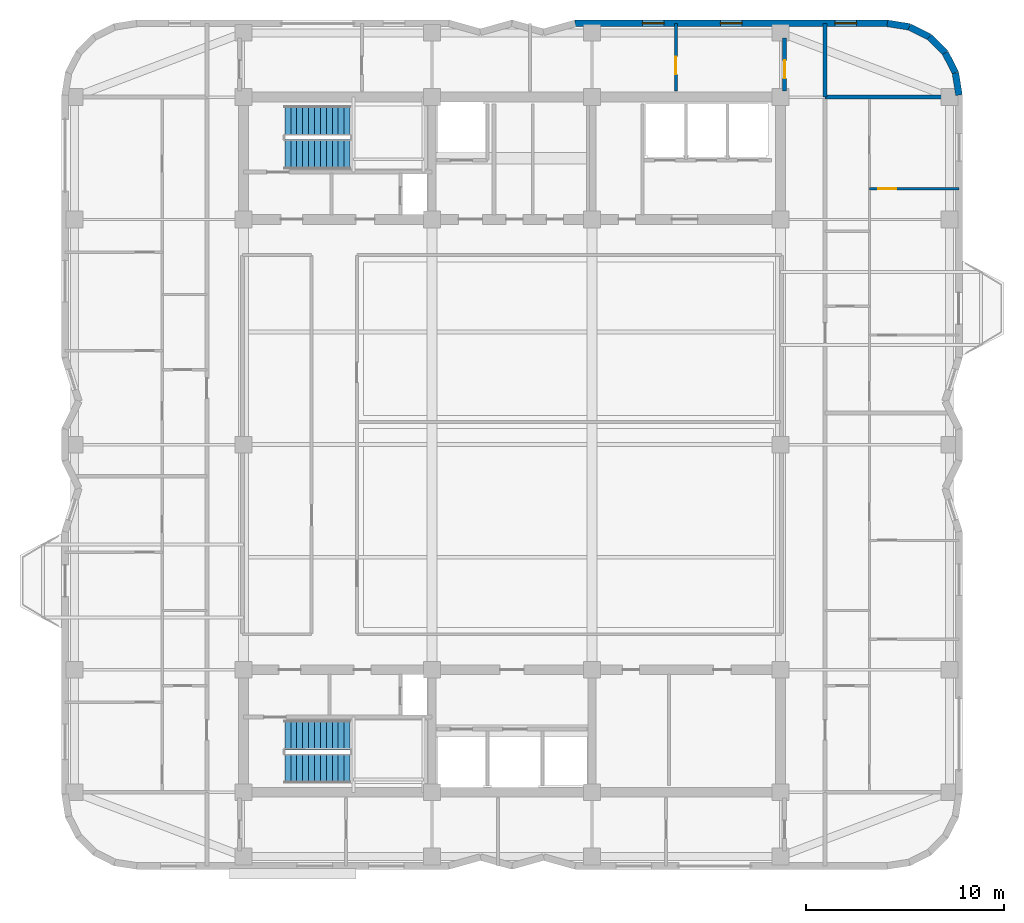
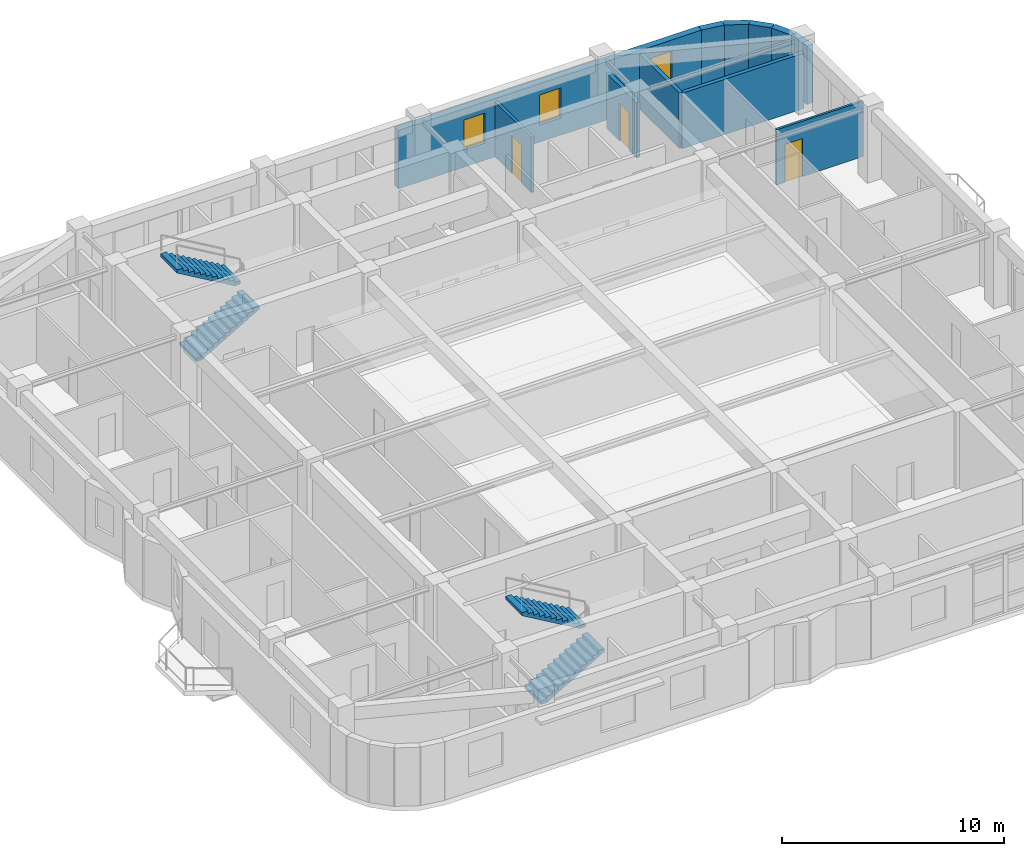
# One storey, part 9 of 11: 11 walls, 4 stair flights, 3 doors, 3 windows, 6 openings, 2 elements without a shape of their own.
"""IFC4 building model written with IfcOpenShell, lengths in metres."""

from ifc_helpers import new_model, si_unit, direction, frame, frame_2d, origin, place, context, subcontext, project, spatial, polyline, rectangle, outline, extrude, material, layer, layer_set, type_object, element, fill, aggregate, save


model = new_model("IFC4")

# Units and contexts
model_context = context("Model", 3, precision=1e-05, world=origin(), true_north=direction((0.0, 1.0)))
body_context = subcontext(model_context, "Body", "Model", "MODEL_VIEW")
ifc_project = project(units=[si_unit("LENGTHUNIT", "METRE"), si_unit("AREAUNIT", "SQUARE_METRE"), si_unit("VOLUMEUNIT", "CUBIC_METRE"), si_unit("PLANEANGLEUNIT", "RADIAN"), si_unit("MASSUNIT", "GRAM", prefix="KILO")], contexts=[model_context])

# Site, building, storey
site_placement = place(None, origin())
site = spatial("IfcSite", under=ifc_project, at=site_placement, CompositionType="ELEMENT")
building_placement = place(site_placement, origin())
building = spatial("IfcBuilding", under=site, at=building_placement, Name="Svetorya Sky Lyceum", CompositionType="ELEMENT")
storey_placement = place(building_placement, frame((0.0, 0.0, 203.10009765625)))
storey = spatial("IfcBuildingStorey", under=building, at=storey_placement, Name="L50", CompositionType="ELEMENT", Elevation=203.10009765625)

# Walls
ifc_material_1 = material(Name="Putilovo limestone rainscreen on autoclaved cellular masonry", Category="masonry")
ifc_layer_1 = layer(ifc_material_1, 0.340087890625)
ifc_layer_set_1 = layer_set([ifc_layer_1], Name="Putilovo limestone rainscreen on autoclaved cellular masonry")
wall_type_1 = type_object("IfcWallType", Name="WL-EXT-340", PredefinedType="SOLIDWALL", material=ifc_layer_set_1)
for number, where, z_axis, x_axis, name in (
    (1, (61.830078125, 45.89990234375, 0.0), (0.0, 0.0, 1.0), (-0.156481329164, 0.987680916907, 0.0), "L50 Limestone Exterior Wall 24M"),
    (2, (61.65234375, 47.021728515625, 0.0), (0.0, 0.0, 1.0), (-0.453993402883, 0.891005044957, 0.0), "L50 Limestone Exterior Wall 25M"),
):
    element("IfcWall", number, at=place(storey_placement, frame(where, z_axis=z_axis, x_axis=x_axis)), inside=storey, type_object=wall_type_1, Name=name, PredefinedType="SOLIDWALL", context=body_context, shape_type="SweptSolid", body=[
        extrude(rectangle(XDim=1.1357421875, YDim=0.340087890625, at=frame_2d((0.56787109375, 0.0))), origin(), (0.0, 0.0, 1.0), 3.219970703125),
    ])
wall_1_placement = place(storey_placement, frame((61.13671875, 48.03369140625, 0.0), z_axis=(0.0, 0.0, 1.0), x_axis=(-0.707106781187, 0.707106781187, 0.0)))
element("IfcWall", 3, at=wall_1_placement, inside=storey, type_object=wall_type_1, Name="L50 Limestone Exterior Wall 26M", PredefinedType="SOLIDWALL", context=body_context, shape_type="SweptSolid", body=[
    extrude(rectangle(XDim=1.135498046875, YDim=0.340087890625, at=frame_2d((0.56787109375, 0.0))), origin(), (0.0, 0.0, 1.0), 3.219970703125),
])
for number, where, z_axis, x_axis, name in (
    (4, (60.333740234375, 48.836669921875, 0.0), (0.0, 0.0, 1.0), (-0.891005044957, 0.453993402883, 0.0), "L50 Limestone Exterior Wall 27M"),
    (5, (59.32177734375, 49.352294921875, 0.0), (0.0, 0.0, 1.0), (-0.987680916907, 0.156481329164, 0.0), "L50 Limestone Exterior Wall 28M"),
):
    element("IfcWall", number, at=place(storey_placement, frame(where, z_axis=z_axis, x_axis=x_axis)), inside=storey, type_object=wall_type_1, Name=name, PredefinedType="SOLIDWALL", context=body_context, shape_type="SweptSolid", body=[
        extrude(rectangle(XDim=1.1357421875, YDim=0.340087890625, at=frame_2d((0.56787109375, 0.0))), origin(), (0.0, 0.0, 1.0), 3.219970703125),
    ])

# Wall, openings, windows
wall_2_placement = place(storey_placement, frame((58.199951171875, 49.530029296875, 0.0), z_axis=(0.0, 0.0, 1.0), x_axis=(-1.0, 0.0, 0.0)))
wall_2 = element("IfcWall", 6, at=wall_2_placement, inside=storey, type_object=wall_type_1, Name="L50 Limestone Exterior Wall 29M", PredefinedType="SOLIDWALL", context=body_context, shape_type="SweptSolid", body=[
    extrude(rectangle(XDim=15.800048828125, YDim=0.340087890625, at=frame_2d((7.89990234375, 0.0))), origin(), (0.0, 0.0, 1.0), 3.219970703125),
])
opening_1_placement = place(wall_2_placement, frame((1.550048828125, 0.0, 0.949951171875)))
opening_1 = element("IfcOpeningElement", 7, at=opening_1_placement, cuts=wall_2, Name="Opening W-R3", PredefinedType="OPENING", context=body_context, shape_type="SweptSolid", body=[
    extrude(rectangle(XDim=1.10009765625, YDim=1.64990234375, at=frame_2d((0.550048828125, 0.824951171875))), frame((0.0, 0.179931640625, 0.0), z_axis=(0.0, -1.0, 0.0), x_axis=(1.0, 0.0, 0.0)), (0.0, 0.0, 1.0), 0.360107421875),
])
opening_2_placement = place(wall_2_placement, frame((7.35009765625, 0.0, 0.949951171875)))
opening_2 = element("IfcOpeningElement", 8, at=opening_2_placement, cuts=wall_2, Name="Opening W-R3", PredefinedType="OPENING", context=body_context, shape_type="SweptSolid", body=[
    extrude(rectangle(XDim=1.10009765625, YDim=1.64990234375, at=frame_2d((0.550048828125, 0.824951171875))), frame((0.0, 0.179931640625, 0.0), z_axis=(0.0, -1.0, 0.0), x_axis=(1.0, 0.0, 0.0)), (0.0, 0.0, 1.0), 0.360107421875),
])
opening_3_placement = place(wall_2_placement, frame((11.300048828125, 0.0, 0.949951171875)))
opening_3 = element("IfcOpeningElement", 9, at=opening_3_placement, cuts=wall_2, Name="Opening W-R3", PredefinedType="OPENING", context=body_context, shape_type="SweptSolid", body=[
    extrude(rectangle(XDim=1.10009765625, YDim=1.64990234375, at=frame_2d((0.550048828125, 0.824951171875))), frame((0.0, 0.179931640625, 0.0), z_axis=(0.0, -1.0, 0.0), x_axis=(1.0, 0.0, 0.0)), (0.0, 0.0, 1.0), 0.360107421875),
])
ifc_material_2 = material(Name="Thermally broken aluminium frame with triple low-E glazing", Category="aluminium")
window_type = type_object("IfcWindowType", Name="WN-RES-110", PartitioningType="SINGLE_PANEL", PredefinedType="WINDOW", material=ifc_material_2)
window_1_placement = place(opening_1_placement, origin())
window_1 = element("IfcWindow", 10, at=window_1_placement, inside=storey, type_object=window_type, Name="L50 Facade Window W-R3.29M.1", OverallHeight=1.64990234375, OverallWidth=1.10009765625, PartitioningType="SINGLE_PANEL", PredefinedType="WINDOW", context=body_context, shape_type="SweptSolid", body=[
    extrude(rectangle(XDim=1.10009765625, YDim=1.64990234375, at=frame_2d((0.550048828125, 0.824951171875))), frame((0.0, 0.030029296875, 0.0), z_axis=(0.0, -1.0, 0.0), x_axis=(1.0, 0.0, 0.0)), (0.0, 0.0, 1.0), 0.06005859375),
])
fill(opening_1, window_1)
window_2_placement = place(opening_2_placement, origin())
window_2 = element("IfcWindow", 11, at=window_2_placement, inside=storey, type_object=window_type, Name="L50 Facade Window W-R3.29M.2", OverallHeight=1.64990234375, OverallWidth=1.10009765625, PartitioningType="SINGLE_PANEL", PredefinedType="WINDOW", context=body_context, shape_type="SweptSolid", body=[
    extrude(rectangle(XDim=1.10009765625, YDim=1.64990234375, at=frame_2d((0.550048828125, 0.824951171875))), frame((0.0, 0.030029296875, 0.0), z_axis=(0.0, -1.0, 0.0), x_axis=(1.0, 0.0, 0.0)), (0.0, 0.0, 1.0), 0.06005859375),
])
fill(opening_2, window_2)
window_3_placement = place(opening_3_placement, origin())
window_3 = element("IfcWindow", 12, at=window_3_placement, inside=storey, type_object=window_type, Name="L50 Facade Window W-R3.29M.3", OverallHeight=1.64990234375, OverallWidth=1.10009765625, PartitioningType="SINGLE_PANEL", PredefinedType="WINDOW", context=body_context, shape_type="SweptSolid", body=[
    extrude(rectangle(XDim=1.10009765625, YDim=1.64990234375, at=frame_2d((0.550048828125, 0.824951171875))), frame((0.0, 0.030029296875, 0.0), z_axis=(0.0, -1.0, 0.0), x_axis=(1.0, 0.0, 0.0)), (0.0, 0.0, 1.0), 0.06005859375),
])
fill(opening_3, window_3)

# Wall, opening, door
ifc_material_3 = material(Name="Twin-stud galvanized framing with double fireboard", Category="gypsum")
ifc_layer_2 = layer(ifc_material_3, 0.1201171875)
ifc_layer_set_2 = layer_set([ifc_layer_2], Name="Twin-stud galvanized framing with double fireboard")
wall_type_2 = type_object("IfcWallType", Name="WL-PART-120", PredefinedType="PARTITIONING", material=ifc_layer_set_2)
wall_3_placement = place(storey_placement, frame((57.300048828125, 41.14990234375, 0.0), z_axis=(0.0, 0.0, 1.0), x_axis=(1.0, 0.0, 0.0)))
wall_3 = element("IfcWall", 13, at=wall_3_placement, inside=storey, type_object=wall_type_2, Name="L50 Interior Partition E2-WL2", PredefinedType="PARTITIONING", context=body_context, shape_type="SweptSolid", body=[
    extrude(rectangle(XDim=4.530029296875, YDim=0.1201171875, at=frame_2d((2.26513671875, 0.0))), origin(), (0.0, 0.0, 1.0), 3.0498046875),
])
opening_4_placement = place(wall_3_placement, frame((0.449951171875, 0.0, 0.0)))
opening_4 = element("IfcOpeningElement", 14, at=opening_4_placement, cuts=wall_3, Name="Opening D-RM1", PredefinedType="OPENING", context=body_context, shape_type="SweptSolid", body=[
    extrude(rectangle(XDim=0.89990234375, YDim=2.10009765625, at=frame_2d((0.449951171875, 1.050048828125))), frame((0.0, 0.070068359375, 0.0), z_axis=(0.0, -1.0, 0.0), x_axis=(1.0, 0.0, 0.0)), (0.0, 0.0, 1.0), 0.14013671875),
])
ifc_material_4 = material(Name="Lacquered birch veneer internal door")
door_type = type_object("IfcDoorType", Name="DR-INT-900", OperationType="SINGLE_SWING_LEFT", PredefinedType="DOOR", material=ifc_material_4)
door_1_placement = place(opening_4_placement, origin())
door_1 = element("IfcDoor", 15, at=door_1_placement, inside=storey, type_object=door_type, Name="Apartment E2 Bedroom 2 Door", OperationType="SINGLE_SWING_RIGHT", OverallHeight=2.10009765625, OverallWidth=0.89990234375, PredefinedType="DOOR", context=body_context, shape_type="SweptSolid", body=[
    extrude(rectangle(XDim=0.89990234375, YDim=2.10009765625, at=frame_2d((0.449951171875, 1.050048828125))), frame((0.0, 0.02490234375, 0.0), z_axis=(0.0, -1.0, 0.0), x_axis=(1.0, 0.0, 0.0)), (0.0, 0.0, 1.0), 0.050048828125),
])
fill(opening_4, door_1)

ifc_material_5 = material(Name="Autoclaved cellular masonry blockwork with acoustic render", Category="masonry")
ifc_layer_3 = layer(ifc_material_5, 0.14990234375)
ifc_layer_set_3 = layer_set([ifc_layer_3], Name="Autoclaved cellular masonry blockwork with acoustic render")
wall_type_3 = type_object("IfcWallType", Name="WL-PART-150", PredefinedType="PARTITIONING", material=ifc_layer_set_3)
wall_4_placement = place(storey_placement, frame((47.5, 46.10009765625, 0.0), z_axis=(0.0, 0.0, 1.0), x_axis=(0.0, 1.0, 0.0)))
wall_4 = element("IfcWall", 16, at=wall_4_placement, inside=storey, type_object=wall_type_3, Name="L50 Interior Partition N4-D3", PredefinedType="PARTITIONING", context=body_context, shape_type="SweptSolid", body=[
    extrude(rectangle(XDim=3.429931640625, YDim=0.14990234375, at=frame_2d((1.71484375, 0.0))), origin(), (0.0, 0.0, 1.0), 3.0498046875),
])
opening_5_placement = place(wall_4_placement, frame((0.85009765625, 0.0, 0.0)))
opening_5 = element("IfcOpeningElement", 17, at=opening_5_placement, cuts=wall_4, Name="Opening D-RM1", PredefinedType="OPENING", context=body_context, shape_type="SweptSolid", body=[
    extrude(rectangle(XDim=0.89990234375, YDim=2.10009765625, at=frame_2d((0.449951171875, 1.050048828125))), frame((0.0, 0.0849609375, 0.0), z_axis=(0.0, -1.0, 0.0), x_axis=(1.0, 0.0, 0.0)), (0.0, 0.0, 1.0), 0.169921875),
])
door_2_placement = place(opening_5_placement, origin())
door_2 = element("IfcDoor", 18, at=door_2_placement, inside=storey, type_object=door_type, Name="L50 North Suite Door 3", OperationType="SINGLE_SWING_RIGHT", OverallHeight=2.10009765625, OverallWidth=0.89990234375, PredefinedType="DOOR", context=body_context, shape_type="SweptSolid", body=[
    extrude(rectangle(XDim=0.89990234375, YDim=2.10009765625, at=frame_2d((0.449951171875, 1.050048828125))), frame((0.0, 0.02490234375, 0.0), z_axis=(0.0, -1.0, 0.0), x_axis=(1.0, 0.0, 0.0)), (0.0, 0.0, 1.0), 0.050048828125),
])
fill(opening_5, door_2)

# Walls
ifc_material_6 = material(Name="Autoclaved cellular masonry blockwork with gypsum plaster", Category="masonry")
ifc_layer_4 = layer(ifc_material_6, 0.199951171875)
ifc_layer_set_4 = layer_set([ifc_layer_4], Name="Autoclaved cellular masonry blockwork with gypsum plaster")
wall_type_4 = type_object("IfcWallType", Name="WL-PART-200", PredefinedType="PARTITIONING", material=ifc_layer_set_4)
wall_5_placement = place(storey_placement, frame((55.050048828125, 45.800048828125, 0.0), z_axis=(0.0, 0.0, 1.0), x_axis=(1.0, 0.0, 0.0)))
element("IfcWall", 19, at=wall_5_placement, inside=storey, type_object=wall_type_4, Name="L50 Interior Partition E-CAP-N", PredefinedType="PARTITIONING", context=body_context, shape_type="SweptSolid", body=[
    extrude(rectangle(XDim=6.35986328125, YDim=0.199951171875, at=frame_2d((3.179931640625, 0.0))), origin(), (0.0, 0.0, 1.0), 3.0498046875),
])
wall_6_placement = place(storey_placement, frame((55.050048828125, 45.800048828125, 0.0), z_axis=(0.0, 0.0, 1.0), x_axis=(0.0, 1.0, 0.0)))
element("IfcWall", 20, at=wall_6_placement, inside=storey, type_object=wall_type_4, Name="L50 Interior Partition EC-NE-END", PredefinedType="PARTITIONING", context=body_context, shape_type="SweptSolid", body=[
    extrude(rectangle(XDim=3.72998046875, YDim=0.199951171875, at=frame_2d((1.864990234375, 0.0))), origin(), (0.0, 0.0, 1.0), 3.0498046875),
])

# Wall, opening, door
wall_7_placement = place(storey_placement, frame((53.0, 46.10009765625, 0.0), z_axis=(0.0, 0.0, 1.0), x_axis=(0.0, 1.0, 0.0)))
wall_7 = element("IfcWall", 21, at=wall_7_placement, inside=storey, type_object=wall_type_4, Name="L50 Interior Partition N4-EE", PredefinedType="PARTITIONING", context=body_context, shape_type="SweptSolid", body=[
    extrude(rectangle(XDim=2.679931640625, YDim=0.199951171875, at=frame_2d((1.33984375, 0.0))), origin(), (0.0, 0.0, 1.0), 3.0498046875),
])
opening_6_placement = place(wall_7_placement, frame((0.64990234375, 0.0, 0.0)))
opening_6 = element("IfcOpeningElement", 22, at=opening_6_placement, cuts=wall_7, Name="Opening D-RM1", PredefinedType="OPENING", context=body_context, shape_type="SweptSolid", body=[
    extrude(rectangle(XDim=0.89990234375, YDim=2.10009765625, at=frame_2d((0.449951171875, 1.050048828125))), frame((0.0, 0.10986328125, 0.0), z_axis=(0.0, -1.0, 0.0), x_axis=(1.0, 0.0, 0.0)), (0.0, 0.0, 1.0), 0.219970703125),
])
door_3_placement = place(opening_6_placement, origin())
door_3 = element("IfcDoor", 23, at=door_3_placement, inside=storey, type_object=door_type, Name="L50 NE Office Door", OperationType="SINGLE_SWING_LEFT", OverallHeight=2.10009765625, OverallWidth=0.89990234375, PredefinedType="DOOR", context=body_context, shape_type="SweptSolid", body=[
    extrude(rectangle(XDim=0.89990234375, YDim=2.10009765625, at=frame_2d((0.449951171875, 1.050048828125))), frame((0.0, 0.02490234375, 0.0), z_axis=(0.0, -1.0, 0.0), x_axis=(1.0, 0.0, 0.0)), (0.0, 0.0, 1.0), 0.050048828125),
])
fill(opening_6, door_3)

# Stair, stair flights
ifc_material_7 = material(Name="Concrete C40/50", Category="concrete")
stair_type_1 = type_object("IfcStairType", Name="STR-ST-N", PredefinedType="HALF_TURN_STAIR", material=ifc_material_7)
stair_1_placement = place(storey_placement, origin())
stair_1 = element("IfcStair", 24, at=stair_1_placement, inside=storey, type_object=stair_type_1, Name="L50 North Core Smoke-Free Exit Stair N3", PredefinedType="HALF_TURN_STAIR")
stair_flight_type_1 = type_object("IfcStairFlightType", Name="SFL-ST-N", PredefinedType="STRAIGHT", material=ifc_material_7)
stair_flight_1_placement = place(storey_placement, frame((27.699951171875, 42.89990234375, 0.0), z_axis=(0.0, 0.0, 1.0), x_axis=(1.0, 0.0, 0.0)))
stair_flight_1 = element("IfcStairFlight", 25, at=stair_flight_1_placement, type_object=stair_flight_type_1, Name="ST-N flight 1", NumberOfRisers=12, NumberOfTreads=11, PredefinedType="STRAIGHT", RiserHeight=0.175, TreadLength=0.3, context=body_context, shape_type="SweptSolid", body=[
    extrude(outline(polyline([(0.0, 0.0), (0.0, 0.175048828125), (0.300048828125, 0.175048828125), (0.300048828125, 0.35009765625), (0.60009765625, 0.35009765625), (0.60009765625, 0.52490234375), (0.89990234375, 0.52490234375), (0.89990234375, 0.699951171875), (1.199951171875, 0.699951171875), (1.199951171875, 0.875), (1.5, 0.875), (1.5, 1.050048828125), (1.800048828125, 1.050048828125), (1.800048828125, 1.22509765625), (2.10009765625, 1.22509765625), (2.10009765625, 1.39990234375), (2.39990234375, 1.39990234375), (2.39990234375, 1.574951171875), (2.699951171875, 1.574951171875), (2.699951171875, 1.75), (3.0, 1.75), (3.0, 1.925048828125), (3.300048828125, 1.925048828125), (3.300048828125, 2.10009765625), (3.300048828125, 1.75146484375), (0.297607421875, 0.0), (0.0, 0.0)])), frame((0.0, 0.75, 0.0), z_axis=(0.0, -1.0, 0.0), x_axis=(1.0, 0.0, 0.0)), (0.0, 0.0, 1.0), 1.5),
])
stair_flight_2_placement = place(storey_placement, frame((31.0, 44.60009765625, 2.099853515625), z_axis=(0.0, 0.0, 1.0), x_axis=(-1.0, 0.0, 0.0)))
stair_flight_2 = element("IfcStairFlight", 26, at=stair_flight_2_placement, type_object=stair_flight_type_1, Name="ST-N flight 2", NumberOfRisers=12, NumberOfTreads=11, PredefinedType="STRAIGHT", RiserHeight=0.175, TreadLength=0.3, context=body_context, shape_type="SweptSolid", body=[
    extrude(outline(polyline([(0.0, 0.0), (0.0, 0.175048828125), (0.300048828125, 0.175048828125), (0.300048828125, 0.35009765625), (0.60009765625, 0.35009765625), (0.60009765625, 0.52490234375), (0.89990234375, 0.52490234375), (0.89990234375, 0.699951171875), (1.199951171875, 0.699951171875), (1.199951171875, 0.875), (1.5, 0.875), (1.5, 1.050048828125), (1.800048828125, 1.050048828125), (1.800048828125, 1.22509765625), (2.10009765625, 1.22509765625), (2.10009765625, 1.39990234375), (2.39990234375, 1.39990234375), (2.39990234375, 1.574951171875), (2.699951171875, 1.574951171875), (2.699951171875, 1.75), (3.0, 1.75), (3.0, 1.925048828125), (3.300048828125, 1.925048828125), (3.300048828125, 2.10009765625), (3.300048828125, 1.75146484375), (0.297607421875, 0.0), (0.0, 0.0)])), frame((0.0, 0.75, 0.0), z_axis=(0.0, -1.0, 0.0), x_axis=(1.0, 0.0, 0.0)), (0.0, 0.0, 1.0), 1.5),
])
aggregate(stair_1, [stair_flight_1, stair_flight_2])

stair_type_2 = type_object("IfcStairType", Name="STR-ST-S", PredefinedType="HALF_TURN_STAIR", material=ifc_material_7)
stair_2_placement = place(storey_placement, origin())
stair_2 = element("IfcStair", 27, at=stair_2_placement, inside=storey, type_object=stair_type_2, Name="L50 South Core Smoke-Free Exit Stair N2", PredefinedType="HALF_TURN_STAIR")
stair_flight_type_2 = type_object("IfcStairFlightType", Name="SFL-ST-S", PredefinedType="STRAIGHT", material=ifc_material_7)
stair_flight_3_placement = place(storey_placement, frame((27.699951171875, 11.800048828125, 0.0), z_axis=(0.0, 0.0, 1.0), x_axis=(1.0, 0.0, 0.0)))
stair_flight_3 = element("IfcStairFlight", 28, at=stair_flight_3_placement, type_object=stair_flight_type_2, Name="ST-S flight 1", NumberOfRisers=12, NumberOfTreads=11, PredefinedType="STRAIGHT", RiserHeight=0.175, TreadLength=0.3, context=body_context, shape_type="SweptSolid", body=[
    extrude(outline(polyline([(0.0, 0.0), (0.0, 0.175048828125), (0.300048828125, 0.175048828125), (0.300048828125, 0.35009765625), (0.60009765625, 0.35009765625), (0.60009765625, 0.52490234375), (0.89990234375, 0.52490234375), (0.89990234375, 0.699951171875), (1.199951171875, 0.699951171875), (1.199951171875, 0.875), (1.5, 0.875), (1.5, 1.050048828125), (1.800048828125, 1.050048828125), (1.800048828125, 1.22509765625), (2.10009765625, 1.22509765625), (2.10009765625, 1.39990234375), (2.39990234375, 1.39990234375), (2.39990234375, 1.574951171875), (2.699951171875, 1.574951171875), (2.699951171875, 1.75), (3.0, 1.75), (3.0, 1.925048828125), (3.300048828125, 1.925048828125), (3.300048828125, 2.10009765625), (3.300048828125, 1.75146484375), (0.297607421875, 0.0), (0.0, 0.0)])), frame((0.0, 0.75, 0.0), z_axis=(0.0, -1.0, 0.0), x_axis=(1.0, 0.0, 0.0)), (0.0, 0.0, 1.0), 1.5),
])
stair_flight_4_placement = place(storey_placement, frame((31.0, 13.5, 2.099853515625), z_axis=(0.0, 0.0, 1.0), x_axis=(-1.0, 0.0, 0.0)))
stair_flight_4 = element("IfcStairFlight", 29, at=stair_flight_4_placement, type_object=stair_flight_type_2, Name="ST-S flight 2", NumberOfRisers=12, NumberOfTreads=11, PredefinedType="STRAIGHT", RiserHeight=0.175, TreadLength=0.3, context=body_context, shape_type="SweptSolid", body=[
    extrude(outline(polyline([(0.0, 0.0), (0.0, 0.175048828125), (0.300048828125, 0.175048828125), (0.300048828125, 0.35009765625), (0.60009765625, 0.35009765625), (0.60009765625, 0.52490234375), (0.89990234375, 0.52490234375), (0.89990234375, 0.699951171875), (1.199951171875, 0.699951171875), (1.199951171875, 0.875), (1.5, 0.875), (1.5, 1.050048828125), (1.800048828125, 1.050048828125), (1.800048828125, 1.22509765625), (2.10009765625, 1.22509765625), (2.10009765625, 1.39990234375), (2.39990234375, 1.39990234375), (2.39990234375, 1.574951171875), (2.699951171875, 1.574951171875), (2.699951171875, 1.75), (3.0, 1.75), (3.0, 1.925048828125), (3.300048828125, 1.925048828125), (3.300048828125, 2.10009765625), (3.300048828125, 1.75146484375), (0.297607421875, 0.0), (0.0, 0.0)])), frame((0.0, 0.75, 0.0), z_axis=(0.0, -1.0, 0.0), x_axis=(1.0, 0.0, 0.0)), (0.0, 0.0, 1.0), 1.5),
])
aggregate(stair_2, [stair_flight_3, stair_flight_4])

save(model, "model.ifc")
